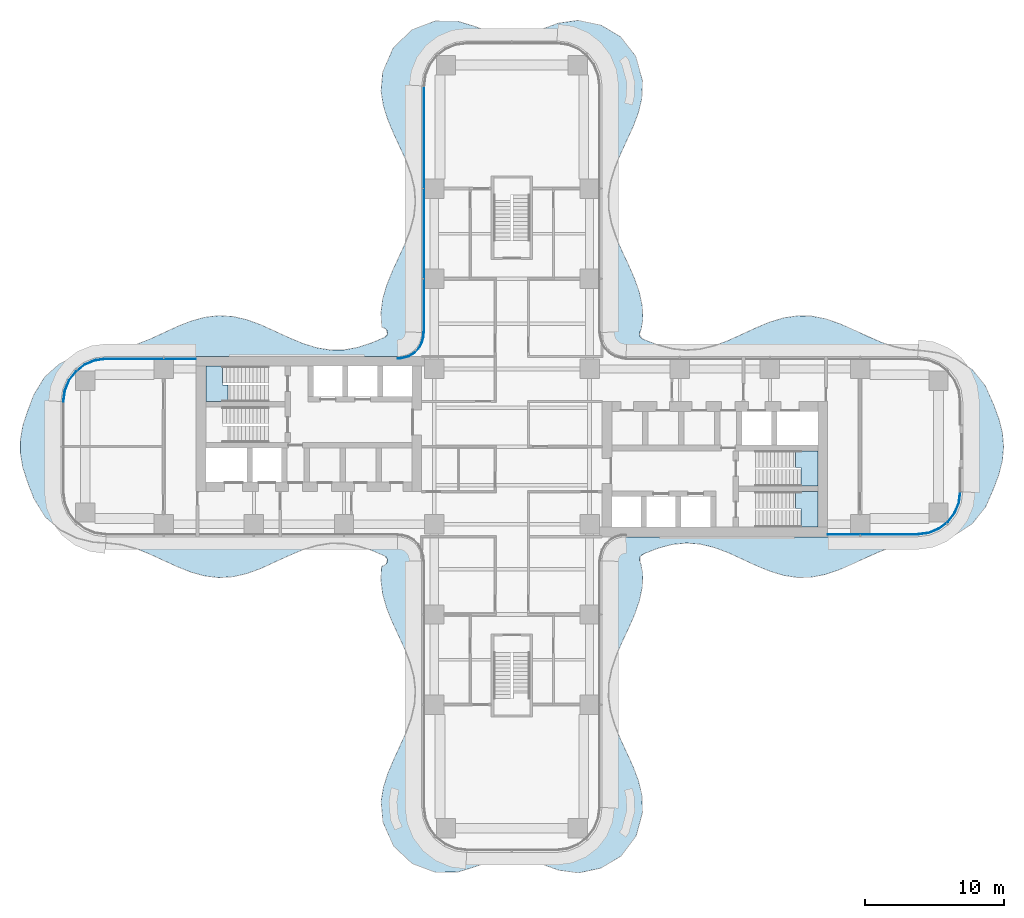
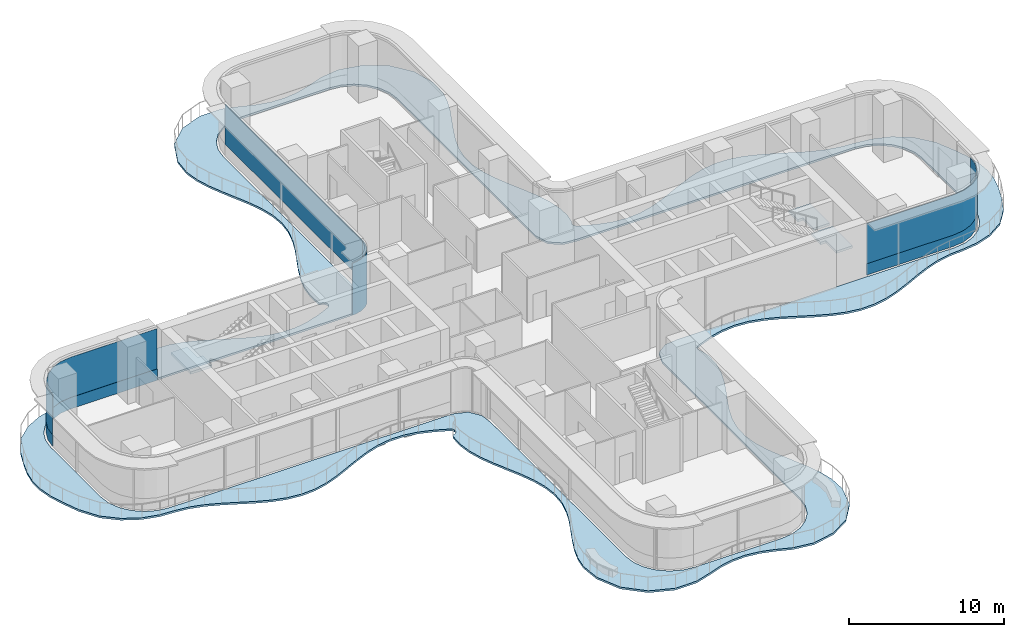
# One storey, part 15 of 22: 6 plates, 4 slabs, 7 elements without a shape of their own.
"""IFC4 building model written with IfcOpenShell, lengths in metres."""

from ifc_helpers import new_model, si_unit, direction, frame, origin, place, context, subcontext, project, spatial, polyline, outline, extrude, source, transform, mapped, material, layer, layer_set, type_object, element, aggregate, save


model = new_model("IFC4")

# Units and contexts
model_context = context("Model", 3, precision=1e-05, world=origin(), true_north=direction((0.0, 1.0)))
body_context = subcontext(model_context, "Body", "Model", "MODEL_VIEW")
ifc_project = project(units=[si_unit("LENGTHUNIT", "METRE"), si_unit("AREAUNIT", "SQUARE_METRE"), si_unit("VOLUMEUNIT", "CUBIC_METRE"), si_unit("PLANEANGLEUNIT", "RADIAN"), si_unit("MASSUNIT", "GRAM", prefix="KILO")], contexts=[model_context])

# Site, building, storey
site_placement = place(None, origin())
site = spatial("IfcSite", under=ifc_project, at=site_placement, CompositionType="ELEMENT")
building_placement = place(site_placement, origin())
building = spatial("IfcBuilding", under=site, at=building_placement, Name="Trellis Farm Tower", CompositionType="ELEMENT")
storey_placement = place(building_placement, frame((0.0, 0.0, 43.0)))
storey = spatial("IfcBuildingStorey", under=building, at=storey_placement, Name="L08", CompositionType="ELEMENT", Elevation=43.0)

# Slab
ifc_material_1 = material(Name="Concrete C40/50", Category="concrete")
ifc_layer_1 = layer(ifc_material_1, 0.14990234375)
ifc_layer_set_1 = layer_set([ifc_layer_1], Name="Balcony slab 150")
slab_type_1 = type_object("IfcSlabType", Name="Balcony slab 150", PredefinedType="FLOOR", material=ifc_layer_set_1)
slab_1_placement = place(storey_placement, frame((0.0, 0.0, -0.14990234375)))
element("IfcSlab", 1, at=slab_1_placement, inside=storey, type_object=slab_type_1, Name="Balcony slab", PredefinedType="FLOOR", context=body_context, shape_type="SweptSolid", body=[
    extrude(outline(polyline([(-9.37060546875, -8.62841796875), (-9.29931640625, -8.576416015625), (-9.1962890625, -8.541015625), (-9.18017578125, -8.533203125), (-9.062744140625, -8.45751953125), (-9.03857421875, -8.431884765625), (-8.97412109375, -8.318603515625), (-8.96435546875, -8.28466796875), (-8.959716796875, -8.154296875), (-8.966796875, -8.11962890625), (-9.02294921875, -8.001953125), (-9.04541015625, -7.974609375), (-9.156982421875, -7.890625), (-9.17236328125, -7.881591796875), (-10.093505859375, -7.48779296875), (-10.099609375, -7.4853515625), (-11.08203125, -7.163330078125), (-11.092041015625, -7.160888671875), (-12.073486328125, -6.98193359375), (-12.086181640625, -6.980712890625), (-13.072021484375, -6.969482421875), (-13.084716796875, -6.970458984375), (-14.078125, -7.131103515625), (-14.08837890625, -7.1337890625), (-15.088134765625, -7.447021484375), (-15.094970703125, -7.449462890625), (-16.111328125, -7.87744140625), (-16.113525390625, -7.87841796875), (-18.09375, -8.78564453125), (-18.104736328125, -8.7900390625), (-19.085205078125, -9.148193359375), (-19.10302734375, -9.153564453125), (-20.077392578125, -9.379150390625), (-20.101806640625, -9.3828125), (-21.1044921875, -9.445556640625), (-21.131103515625, -9.44482421875), (-22.103515625, -9.333251953125), (-22.1259765625, -9.328857421875), (-23.102294921875, -9.061279296875), (-23.11767578125, -9.056396484375), (-24.10107421875, -8.668212890625), (-24.108642578125, -8.664794921875), (-26.088623046875, -7.751953125), (-26.09228515625, -7.750244140625), (-27.112548828125, -7.345947265625), (-27.120361328125, -7.343505859375), (-28.118896484375, -7.070068359375), (-28.1298828125, -7.06787109375), (-29.11865234375, -6.9521484375), (-29.12255859375, -6.951904296875), (-30.190673828125, -6.8837890625), (-30.21728515625, -6.879638671875), (-31.365234375, -6.593505859375), (-31.396484375, -6.58203125), (-32.562255859375, -5.99560546875), (-32.59326171875, -5.974853515625), (-33.62255859375, -5.0810546875), (-33.65185546875, -5.046630859375), (-34.4462890625, -3.760498046875), (-34.45849609375, -3.7353515625), (-34.93017578125, -2.50634765625), (-34.93310546875, -2.498291015625), (-35.253662109375, -1.496826171875), (-35.2587890625, -1.476318359375), (-35.425537109375, -0.497314453125), (-35.427734375, -0.4716796875), (-35.42529296875, 0.501708984375), (-35.423095703125, 0.527099609375), (-35.2529296875, 1.500244140625), (-35.247802734375, 1.5205078125), (-34.93310546875, 2.49853515625), (-34.93017578125, 2.50634765625), (-34.45849609375, 3.735595703125), (-34.446533203125, 3.760009765625), (-33.685546875, 5.006591796875), (-33.656982421875, 5.040771484375), (-32.629150390625, 5.9501953125), (-32.59814453125, 5.971435546875), (-31.4326171875, 6.568115234375), (-31.401611328125, 6.580078125), (-30.249267578125, 6.87451171875), (-30.221923828125, 6.87890625), (-29.12255859375, 6.951904296875), (-29.11865234375, 6.9521484375), (-28.1298828125, 7.06787109375), (-28.118896484375, 7.070068359375), (-27.120361328125, 7.343505859375), (-27.112548828125, 7.345947265625), (-26.09228515625, 7.750244140625), (-26.088623046875, 7.751953125), (-24.10888671875, 8.664794921875), (-24.100830078125, 8.668212890625), (-23.099609375, 9.062255859375), (-23.083984375, 9.0673828125), (-22.1259765625, 9.328857421875), (-22.103515625, 9.333251953125), (-21.131103515625, 9.44482421875), (-21.1044921875, 9.445556640625), (-20.101806640625, 9.3828125), (-20.077392578125, 9.379150390625), (-19.102783203125, 9.153564453125), (-19.08544921875, 9.148193359375), (-18.116455078125, 8.794921875), (-18.105224609375, 8.790283203125), (-16.113525390625, 7.87841796875), (-16.111328125, 7.87744140625), (-15.094970703125, 7.449462890625), (-15.088134765625, 7.447021484375), (-14.08837890625, 7.1337890625), (-14.078125, 7.131103515625), (-13.084716796875, 6.970458984375), (-13.072021484375, 6.969482421875), (-12.0859375, 6.980712890625), (-12.07373046875, 6.981689453125), (-11.138916015625, 7.149169921875), (-11.12890625, 7.151611328125), (-10.099609375, 7.4853515625), (-10.093505859375, 7.48779296875), (-9.17236328125, 7.881591796875), (-9.156982421875, 7.890625), (-9.04541015625, 7.974609375), (-9.02294921875, 8.001953125), (-8.966796875, 8.11962890625), (-8.959716796875, 8.154296875), (-8.96435546875, 8.28466796875), (-8.97412109375, 8.318603515625), (-9.03857421875, 8.431884765625), (-9.062744140625, 8.45751953125), (-9.18017578125, 8.533203125), (-9.1962890625, 8.541015625), (-9.29931640625, 8.576416015625), (-9.37060546875, 8.62841796875), (-9.400390625, 8.711181640625), (-9.443359375, 9.61083984375), (-9.4423828125, 9.636962890625), (-9.318603515625, 10.609619140625), (-9.314208984375, 10.631591796875), (-9.036865234375, 11.6083984375), (-9.03173828125, 11.623291015625), (-8.63671875, 12.607177734375), (-8.6337890625, 12.614013671875), (-7.720947265625, 14.593994140625), (-7.71923828125, 14.597900390625), (-7.333740234375, 15.582275390625), (-7.3310546875, 15.59033203125), (-7.056396484375, 16.625), (-7.05419921875, 16.63671875), (-6.953857421875, 17.627197265625), (-6.95361328125, 17.64013671875), (-7.0263671875, 18.623779296875), (-7.0283203125, 18.635498046875), (-7.26220703125, 19.616943359375), (-7.264892578125, 19.62548828125), (-7.62841796875, 20.609130859375), (-7.63037109375, 20.6142578125), (-8.53857421875, 22.59375), (-8.54052734375, 22.598388671875), (-8.95458984375, 23.584228515625), (-8.959228515625, 23.597412109375), (-9.265380859375, 24.5751953125), (-9.2705078125, 24.5966796875), (-9.428955078125, 25.600341796875), (-9.43017578125, 25.63671875), (-9.314208984375, 26.97900390625), (-9.302490234375, 27.02587890625), (-8.552001953125, 28.746337890625), (-8.536865234375, 28.773193359375), (-8.5146484375, 28.8046875), (-8.494873046875, 28.827392578125), (-7.208740234375, 30.031982421875), (-7.185302734375, 30.050048828125), (-7.15283203125, 30.0703125), (-7.126220703125, 30.083251953125), (-5.56640625, 30.66650390625), (-5.540283203125, 30.673583984375), (-5.50634765625, 30.6796875), (-5.478759765625, 30.68212890625), (-3.93701171875, 30.671875), (-3.89404296875, 30.665283203125), (-2.75439453125, 30.3173828125), (-2.748779296875, 30.3154296875), (-1.731201171875, 29.9599609375), (-1.721923828125, 29.957275390625), (-0.78369140625, 29.757080078125), (-0.77197265625, 29.755615234375), (0.21240234375, 29.707275390625), (0.225830078125, 29.707763671875), (1.268798828125, 29.84326171875), (1.27978515625, 29.845458984375), (2.258056640625, 30.12841796875), (2.26318359375, 30.1298828125), (3.334228515625, 30.523193359375), (3.364990234375, 30.53076171875), (4.744140625, 30.726318359375), (4.7705078125, 30.7275390625), (4.8046875, 30.726318359375), (4.83056640625, 30.72314453125), (6.39794921875, 30.38916015625), (6.443603515625, 30.371337890625), (7.833740234375, 29.540283203125), (7.85693359375, 29.523193359375), (7.8837890625, 29.498779296875), (7.903076171875, 29.478271484375), (8.921630859375, 28.138427734375), (8.93701171875, 28.114013671875), (8.953369140625, 28.080322265625), (8.963623046875, 28.053466796875), (9.412841796875, 26.398681640625), (9.41796875, 26.353759765625), (9.37060546875, 25.095703125), (9.366455078125, 25.066162109375), (9.131591796875, 24.096923828125), (9.126220703125, 24.079833984375), (8.7646484375, 23.109619140625), (8.760498046875, 23.099365234375), (7.846435546875, 21.108154296875), (7.84521484375, 21.105712890625), (7.43408203125, 20.119873046875), (7.431640625, 20.11328125), (7.1279296875, 19.131103515625), (7.12548828125, 19.12060546875), (6.969482421875, 18.138916015625), (6.968505859375, 18.126220703125), (6.98193359375, 17.139404296875), (6.9833984375, 17.126708984375), (7.167724609375, 16.13232421875), (7.17041015625, 16.122314453125), (7.50244140625, 15.121826171875), (7.504638671875, 15.11572265625), (7.93798828125, 14.111328125), (7.93896484375, 14.109130859375), (8.407958984375, 13.10986328125), (8.409423828125, 13.1064453125), (8.843994140625, 12.118896484375), (8.848388671875, 12.107666015625), (9.1962890625, 11.105712890625), (9.201416015625, 11.0869140625), (9.3994140625, 10.134765625), (9.40234375, 10.1103515625), (9.44140625, 9.1455078125), (9.43896484375, 9.1123046875), (9.31689453125, 8.447021484375), (9.30029296875, 8.400634765625), (9.236083984375, 8.285888671875), (9.2294921875, 8.27001953125), (9.188720703125, 8.128173828125), (9.188720703125, 8.08740234375), (9.231689453125, 7.93798828125), (9.254150390625, 7.90283203125), (9.379150390625, 7.794189453125), (9.3974609375, 7.782470703125), (9.619140625, 7.681884765625), (9.623291015625, 7.680419921875), (10.587646484375, 7.31005859375), (10.595703125, 7.3076171875), (11.5771484375, 7.052734375), (11.588623046875, 7.05078125), (12.57177734375, 6.95361328125), (12.584716796875, 6.95361328125), (13.57421875, 7.029296875), (13.586181640625, 7.031005859375), (14.62255859375, 7.284423828125), (14.631103515625, 7.287109375), (15.61474609375, 7.658203125), (15.61962890625, 7.66015625), (17.59912109375, 8.570556640625), (17.6044921875, 8.572998046875), (18.58984375, 8.980712890625), (18.603515625, 8.985595703125), (19.5810546875, 9.28271484375), (19.6025390625, 9.287353515625), (20.605224609375, 9.436279296875), (20.63134765625, 9.43798828125), (21.604248046875, 9.410888671875), (21.62890625, 9.408203125), (22.580322265625, 9.221435546875), (22.599609375, 9.21630859375), (23.6015625, 8.876953125), (23.61328125, 8.872314453125), (24.595947265625, 8.444580078125), (24.599609375, 8.44287109375), (25.59423828125, 7.97607421875), (25.59619140625, 7.975341796875), (26.5830078125, 7.54345703125), (26.58837890625, 7.541259765625), (27.5712890625, 7.201904296875), (27.580810546875, 7.19921875), (28.571533203125, 6.99609375), (28.58056640625, 6.99462890625), (29.654296875, 6.90966796875), (29.662841796875, 6.90869140625), (30.7509765625, 6.759521484375), (30.7783203125, 6.753173828125), (31.9677734375, 6.35400390625), (32.001953125, 6.33740234375), (33.152587890625, 5.585205078125), (33.1875, 5.5537109375), (34.109619140625, 4.406982421875), (34.1298828125, 4.373779296875), (34.726318359375, 3.02978515625), (34.729736328125, 3.021240234375), (35.10400390625, 2.01513671875), (35.10888671875, 1.99951171875), (35.355712890625, 1.0244140625), (35.359619140625, 1.000732421875), (35.447509765625, -0.001953125), (35.447509765625, -0.028564453125), (35.359619140625, -1.0009765625), (35.355712890625, -1.024169921875), (35.10888671875, -1.99951171875), (35.10400390625, -2.01513671875), (34.729736328125, -3.021484375), (34.7265625, -3.029541015625), (34.15380859375, -4.33447265625), (34.133544921875, -4.367919921875), (33.187744140625, -5.552978515625), (33.152099609375, -5.585205078125), (31.962890625, -6.356201171875), (31.92822265625, -6.372802734375), (30.778076171875, -6.75341796875), (30.751220703125, -6.759521484375), (29.662841796875, -6.90869140625), (29.654296875, -6.90966796875), (28.58056640625, -6.99462890625), (28.571533203125, -6.99609375), (27.580810546875, -7.19921875), (27.5712890625, -7.201904296875), (26.58837890625, -7.541259765625), (26.5830078125, -7.54345703125), (25.59619140625, -7.975341796875), (25.59423828125, -7.97607421875), (24.599853515625, -8.44287109375), (24.595703125, -8.444580078125), (23.599609375, -8.877685546875), (23.587890625, -8.882080078125), (22.599609375, -9.21630859375), (22.580078125, -9.221435546875), (21.60009765625, -9.411376953125), (21.574951171875, -9.4140625), (20.60107421875, -9.43603515625), (20.5751953125, -9.4345703125), (19.602294921875, -9.287353515625), (19.5810546875, -9.28271484375), (18.603515625, -8.985595703125), (18.58984375, -8.980712890625), (17.6044921875, -8.572998046875), (17.59912109375, -8.570556640625), (15.61962890625, -7.66015625), (15.61474609375, -7.658203125), (14.631103515625, -7.287109375), (14.62255859375, -7.284423828125), (13.586181640625, -7.031005859375), (13.57421875, -7.029296875), (12.584716796875, -6.95361328125), (12.57177734375, -6.95361328125), (11.588623046875, -7.05078125), (11.5771484375, -7.052734375), (10.595703125, -7.3076171875), (10.587646484375, -7.31005859375), (9.603515625, -7.688720703125), (9.59912109375, -7.6904296875), (9.397216796875, -7.782470703125), (9.37939453125, -7.794189453125), (9.254150390625, -7.90283203125), (9.231689453125, -7.93798828125), (9.188720703125, -8.08740234375), (9.188720703125, -8.128173828125), (9.2294921875, -8.27001953125), (9.236083984375, -8.285888671875), (9.30029296875, -8.400634765625), (9.31689453125, -8.447021484375), (9.43896484375, -9.1123046875), (9.44140625, -9.1455078125), (9.40234375, -10.1103515625), (9.3994140625, -10.134765625), (9.201416015625, -11.0869140625), (9.1962890625, -11.105712890625), (8.848388671875, -12.107666015625), (8.843994140625, -12.118896484375), (8.409423828125, -13.1064453125), (8.407958984375, -13.10986328125), (7.93896484375, -14.109375), (7.93798828125, -14.111328125), (7.515380859375, -15.088134765625), (7.51318359375, -15.093994140625), (7.18212890625, -16.076904296875), (7.1796875, -16.08642578125), (6.989501953125, -17.06787109375), (6.988037109375, -17.080322265625), (6.964599609375, -18.065673828125), (6.96533203125, -18.07861328125), (7.1142578125, -19.0712890625), (7.11669921875, -19.08203125), (7.42041015625, -20.081298828125), (7.4228515625, -20.08837890625), (7.84521484375, -21.105712890625), (7.846435546875, -21.108154296875), (8.755859375, -23.08837890625), (8.76025390625, -23.0986328125), (9.13232421875, -24.099609375), (9.1376953125, -24.1171875), (9.37109375, -25.099853515625), (9.375244140625, -25.12939453125), (9.418212890625, -26.35400390625), (9.412841796875, -26.398681640625), (8.963623046875, -28.053466796875), (8.953369140625, -28.080322265625), (8.93701171875, -28.114013671875), (8.921630859375, -28.138427734375), (7.903076171875, -29.478271484375), (7.8837890625, -29.498779296875), (7.85693359375, -29.523193359375), (7.833740234375, -29.540283203125), (6.443603515625, -30.371337890625), (6.39794921875, -30.38916015625), (4.83056640625, -30.72314453125), (4.8046875, -30.726318359375), (4.7705078125, -30.7275390625), (4.744140625, -30.726318359375), (3.364990234375, -30.53076171875), (3.334228515625, -30.523193359375), (2.26318359375, -30.1298828125), (2.258056640625, -30.12841796875), (1.27978515625, -29.845458984375), (1.268798828125, -29.84326171875), (0.225830078125, -29.707763671875), (0.21240234375, -29.707275390625), (-0.77197265625, -29.755615234375), (-0.78369140625, -29.757080078125), (-1.721923828125, -29.957275390625), (-1.731201171875, -29.9599609375), (-2.748779296875, -30.3154296875), (-2.75439453125, -30.3173828125), (-3.89404296875, -30.665283203125), (-3.93701171875, -30.671875), (-5.478759765625, -30.68212890625), (-5.50634765625, -30.6796875), (-5.540283203125, -30.673583984375), (-5.56640625, -30.66650390625), (-7.126220703125, -30.083251953125), (-7.15283203125, -30.0703125), (-7.185302734375, -30.050048828125), (-7.208740234375, -30.031982421875), (-8.494873046875, -28.827392578125), (-8.5146484375, -28.8046875), (-8.537109375, -28.77294921875), (-8.552001953125, -28.746826171875), (-9.2880859375, -27.081298828125), (-9.30029296875, -27.033935546875), (-9.4287109375, -25.594482421875), (-9.42724609375, -25.556884765625), (-9.2705078125, -24.59619140625), (-9.265625, -24.57568359375), (-8.965087890625, -23.613037109375), (-8.960205078125, -23.599853515625), (-8.54052734375, -22.598388671875), (-8.53857421875, -22.59375), (-7.63037109375, -20.6142578125), (-7.62841796875, -20.609130859375), (-7.264892578125, -19.625732421875), (-7.26220703125, -19.616943359375), (-7.019775390625, -18.579833984375), (-7.01806640625, -18.5673828125), (-6.95458984375, -17.578857421875), (-6.955078125, -17.565673828125), (-7.06396484375, -16.5830078125), (-7.066162109375, -16.57177734375), (-7.3310546875, -15.590087890625), (-7.333740234375, -15.58251953125), (-7.71923828125, -14.597900390625), (-7.720947265625, -14.593994140625), (-8.6337890625, -12.614013671875), (-8.63671875, -12.607177734375), (-9.03173828125, -11.623291015625), (-9.036865234375, -11.6083984375), (-9.314208984375, -10.631591796875), (-9.318603515625, -10.609619140625), (-9.4423828125, -9.636962890625), (-9.443359375, -9.61083984375), (-9.400390625, -8.711181640625), (-9.37060546875, -8.62841796875)]), holes=[polyline([(-7.2119140625, -6.8232421875), (-7.16650390625, -6.856689453125), (-7.134033203125, -6.8896484375), (-6.644287109375, -7.569091796875), (-6.6259765625, -7.603271484375), (-6.6083984375, -7.64892578125), (-6.599365234375, -7.686767578125), (-6.500732421875, -8.61083984375), (-6.50048828125, -8.615478515625), (-6.50048828125, -26.0), (-6.389892578125, -26.84130859375), (-6.065185546875, -27.625244140625), (-5.548583984375, -28.298583984375), (-4.875244140625, -28.815185546875), (-4.09130859375, -29.139892578125), (-3.25, -29.25048828125), (3.25, -29.25048828125), (4.09130859375, -29.139892578125), (4.875244140625, -28.815185546875), (5.548583984375, -28.298583984375), (6.065185546875, -27.625244140625), (6.389892578125, -26.84130859375), (6.50048828125, -26.0), (6.50048828125, -23.778076171875), (6.5078125, -8.16259765625), (6.515380859375, -8.115478515625), (6.802490234375, -7.251953125), (6.824462890625, -7.209716796875), (6.858154296875, -7.16455078125), (6.89111328125, -7.132080078125), (7.571533203125, -6.6435546875), (7.60546875, -6.625244140625), (7.651123046875, -6.60791015625), (7.688720703125, -6.598876953125), (8.61328125, -6.500732421875), (8.617919921875, -6.50048828125), (29.25, -6.50048828125), (30.09130859375, -6.389892578125), (30.875244140625, -6.065185546875), (31.548583984375, -5.548583984375), (32.065185546875, -4.875244140625), (32.389892578125, -4.09130859375), (32.50048828125, -3.25), (32.50048828125, 3.25), (32.389892578125, 4.09130859375), (32.065185546875, 4.875244140625), (31.548583984375, 5.548583984375), (30.875244140625, 6.065185546875), (30.09130859375, 6.389892578125), (29.25, 6.50048828125), (8.617919921875, 6.50048828125), (8.61328125, 6.500732421875), (7.688720703125, 6.598876953125), (7.651123046875, 6.60791015625), (7.60546875, 6.625244140625), (7.571533203125, 6.6435546875), (6.89111328125, 7.132080078125), (6.858154296875, 7.16455078125), (6.824462890625, 7.209716796875), (6.802490234375, 7.251953125), (6.515380859375, 8.115478515625), (6.5078125, 8.16259765625), (6.50048828125, 23.7255859375), (6.50048828125, 26.0), (6.389892578125, 26.84130859375), (6.065185546875, 27.625244140625), (5.548583984375, 28.298583984375), (4.875244140625, 28.815185546875), (4.09130859375, 29.139892578125), (3.25, 29.25048828125), (-3.25, 29.25048828125), (-4.09130859375, 29.139892578125), (-4.875244140625, 28.815185546875), (-5.548583984375, 28.298583984375), (-6.065185546875, 27.625244140625), (-6.389892578125, 26.84130859375), (-6.50048828125, 26.0), (-6.50048828125, 8.615478515625), (-6.500732421875, 8.61083984375), (-6.599365234375, 7.686767578125), (-6.6083984375, 7.64892578125), (-6.6259765625, 7.603271484375), (-6.644287109375, 7.569091796875), (-7.134033203125, 6.8896484375), (-7.16650390625, 6.856689453125), (-7.2119140625, 6.8232421875), (-7.25390625, 6.801513671875), (-8.11767578125, 6.51513671875), (-8.164794921875, 6.507568359375), (-27.41845703125, 6.50048828125), (-29.25, 6.50048828125), (-30.09130859375, 6.389892578125), (-30.875244140625, 6.065185546875), (-31.548583984375, 5.548583984375), (-32.065185546875, 4.875244140625), (-32.389892578125, 4.09130859375), (-32.50048828125, 3.25), (-32.50048828125, -3.25), (-32.389892578125, -4.09130859375), (-32.065185546875, -4.875244140625), (-31.548583984375, -5.548583984375), (-30.875244140625, -6.065185546875), (-30.09130859375, -6.389892578125), (-29.25, -6.50048828125), (-27.418701171875, -6.50048828125), (-8.164794921875, -6.507568359375), (-8.11767578125, -6.51513671875), (-7.25390625, -6.801513671875), (-7.2119140625, -6.8232421875)])]), origin(), (0.0, 0.0, 1.0), 0.14990234375),
])

# Stair, slab
ifc_material_2 = material(Name="Concrete C50/60", Category="concrete")
stair_type = type_object("IfcStairType", Name="CORE EXIT STAIR 26 RISERS 173 MM", PredefinedType="HALF_TURN_STAIR", material=ifc_material_2)
placement_1 = place(storey_placement, origin())
stair_1 = element("IfcStair", 2, at=placement_1, inside=storey, type_object=stair_type, Name="Exit stair E1", PredefinedType="HALF_TURN_STAIR")
ifc_layer_2 = layer(ifc_material_2, 0.18994140625)
ifc_layer_set_2 = layer_set([ifc_layer_2], Name="CORE STAIR LANDING 190 CONCRETE C50/60")
slab_type_2 = type_object("IfcSlabType", Name="CORE STAIR LANDING 190 CONCRETE C50/60", PredefinedType="LANDING", material=ifc_layer_set_2)
shared_shape_1 = source(origin(), body_context, "Body", "SweptSolid", [
    extrude(outline(polyline([(20.840087890625, -5.800048828125), (20.840087890625, -4.60009765625), (20.85009765625, -4.60009765625), (20.85009765625, -4.449951171875), (20.453125, -4.449951171875), (20.453125, -3.25), (20.85009765625, -3.25), (22.050048828125, -3.25), (22.050048828125, -5.800048828125), (20.85009765625, -5.800048828125), (20.840087890625, -5.800048828125)])), origin(), (0.0, 0.0, 1.0), 0.18994140625),
])
placement_2 = place(storey_placement, frame((0.0, 0.0, 2.06005859375)))
slab_2 = element("IfcSlab", 3, at=placement_2, type_object=slab_type_2, Name="STE1 landing 1", PredefinedType="LANDING", context=body_context, shape_type="MappedRepresentation", body=[
    mapped(shared_shape_1, transform((0.0, 0.0, 0.0))),
])
aggregate(stair_1, [slab_2])

stair_2 = element("IfcStair", 4, at=placement_1, inside=storey, type_object=stair_type, Name="Exit stair E2", PredefinedType="HALF_TURN_STAIR")
shared_shape_2 = source(origin(), body_context, "Body", "SweptSolid", [
    extrude(outline(polyline([(20.840087890625, -2.85009765625), (20.840087890625, -1.64990234375), (20.85009765625, -1.64990234375), (20.85009765625, -1.5), (20.453125, -1.5), (20.453125, -0.300048828125), (20.85009765625, -0.300048828125), (22.050048828125, -0.300048828125), (22.050048828125, -2.85009765625), (20.85009765625, -2.85009765625), (20.840087890625, -2.85009765625)])), origin(), (0.0, 0.0, 1.0), 0.18994140625),
])
slab_3 = element("IfcSlab", 5, at=placement_2, type_object=slab_type_2, Name="STE2 landing 1", PredefinedType="LANDING", context=body_context, shape_type="MappedRepresentation", body=[
    mapped(shared_shape_2, transform((0.0, 0.0, 0.0))),
])
aggregate(stair_2, [slab_3])

stair_3 = element("IfcStair", 6, at=placement_1, inside=storey, type_object=stair_type, Name="Exit stair W1", PredefinedType="HALF_TURN_STAIR")
shared_shape_3 = source(origin(), body_context, "Body", "SweptSolid", [
    extrude(outline(polyline([(-20.453125, 4.449951171875), (-20.453125, 3.25), (-20.85009765625, 3.25), (-22.050048828125, 3.25), (-22.050048828125, 5.800048828125), (-20.85009765625, 5.800048828125), (-20.840087890625, 5.800048828125), (-20.840087890625, 4.60009765625), (-20.85009765625, 4.60009765625), (-20.85009765625, 4.449951171875), (-20.453125, 4.449951171875)])), origin(), (0.0, 0.0, 1.0), 0.18994140625),
])
slab_4 = element("IfcSlab", 7, at=placement_2, type_object=slab_type_2, Name="STW1 landing 1", PredefinedType="LANDING", context=body_context, shape_type="MappedRepresentation", body=[
    mapped(shared_shape_3, transform((0.0, 0.0, 0.0))),
])
aggregate(stair_3, [slab_4])

# Curtain wall, plates
ifc_material_3 = material(Name="Aluminium and glass curtain wall", Category="aluminium")
ifc_layer_3 = layer(ifc_material_3, 0.18994140625)
ifc_layer_set_3 = layer_set([ifc_layer_3], Name="RIBBON CURTAIN WALL CW1")
curtain_wall_type_1 = type_object("IfcCurtainWallType", Name="RIBBON CURTAIN WALL CW1", PredefinedType="NOTDEFINED", material=ifc_layer_set_3)
curtain_wall_1 = element("IfcCurtainWall", 8, at=placement_1, inside=storey, type_object=curtain_wall_type_1, Name="CW1 005", PredefinedType="NOTDEFINED")
ifc_material_4 = material(Name="Clear insulated glass", Category="glass")
ifc_layer_4 = layer(ifc_material_4, 0.0400390625)
ifc_layer_set_4 = layer_set([ifc_layer_4], Name="CW1 GLASS PANEL 40")
plate_type_1 = type_object("IfcPlateType", Name="CW1 GLASS PANEL 40", PredefinedType="CURTAIN_PANEL", material=ifc_layer_set_4)
shared_shape_4 = source(origin(), body_context, "Body", "SweptSolid", [
    extrude(outline(polyline([(22.780029296875, -6.35009765625), (29.240234375, -6.35009765625), (30.052001953125, -6.2431640625), (30.79931640625, -5.93359375), (31.441162109375, -5.441162109375), (31.93359375, -4.79931640625), (32.2431640625, -4.052001953125), (32.35009765625, -3.240234375), (32.31005859375, -3.237548828125), (32.2041015625, -4.04150390625), (31.898681640625, -4.779296875), (31.41259765625, -5.41259765625), (30.779296875, -5.898681640625), (30.04150390625, -6.2041015625), (29.237548828125, -6.31005859375), (22.780029296875, -6.31005859375), (22.780029296875, -6.35009765625)])), origin(), (0.0, 0.0, 1.0), 3.170166015625),
])
placement_3 = place(storey_placement, frame((0.0, 0.0, 0.89990234375)))
plate_1 = element("IfcPlate", 9, at=placement_3, type_object=plate_type_1, Name="PL1 005", PredefinedType="CURTAIN_PANEL", context=body_context, shape_type="MappedRepresentation", body=[
    mapped(shared_shape_4, transform((0.0, 0.0, 0.0))),
])
ifc_material_5 = material(Name="Sandstone faced insulated panel", Category="masonry")
ifc_layer_5 = layer(ifc_material_5, 0.050048828125)
ifc_layer_set_5 = layer_set([ifc_layer_5], Name="CW1 STONE SPANDREL PANEL 50")
plate_type_2 = type_object("IfcPlateType", Name="CW1 STONE SPANDREL PANEL 50", PredefinedType="CURTAIN_PANEL", material=ifc_layer_set_5)
shared_shape_5 = source(origin(), body_context, "Body", "SweptSolid", [
    extrude(outline(polyline([(22.780029296875, -6.35009765625), (29.240234375, -6.35009765625), (30.052001953125, -6.2431640625), (30.79931640625, -5.93359375), (31.441162109375, -5.441162109375), (31.93359375, -4.79931640625), (32.2431640625, -4.052001953125), (32.35009765625, -3.240234375), (32.300048828125, -3.23681640625), (32.1943359375, -4.0390625), (31.889892578125, -4.774169921875), (31.405517578125, -5.405517578125), (30.774169921875, -5.889892578125), (30.0390625, -6.1943359375), (29.23681640625, -6.300048828125), (22.780029296875, -6.300048828125), (22.780029296875, -6.35009765625)])), origin(), (0.0, 0.0, 1.0), 0.89990234375),
])
plate_2 = element("IfcPlate", 10, at=placement_1, type_object=plate_type_2, Name="PS1 005", PredefinedType="CURTAIN_PANEL", context=body_context, shape_type="MappedRepresentation", body=[
    mapped(shared_shape_5, transform((0.0, 0.0, 0.0))),
])
aggregate(curtain_wall_1, [plate_1, plate_2])

# Curtain wall, plate
curtain_wall_2 = element("IfcCurtainWall", 11, at=placement_1, inside=storey, type_object=curtain_wall_type_1, Name="CW1 011", PredefinedType="NOTDEFINED")
shared_shape_6 = source(origin(), body_context, "Body", "SweptSolid", [
    extrude(outline(polyline([(-6.35009765625, 25.990234375), (-6.35009765625, 8.2265625), (-6.31005859375, 8.22509765625), (-6.31005859375, 25.987548828125), (-6.35009765625, 25.990234375)])), origin(), (0.0, 0.0, 1.0), 3.170166015625),
])
plate_3 = element("IfcPlate", 12, at=placement_3, type_object=plate_type_1, Name="PL1 011", PredefinedType="CURTAIN_PANEL", context=body_context, shape_type="MappedRepresentation", body=[
    mapped(shared_shape_6, transform((0.0, 0.0, 0.0))),
])
aggregate(curtain_wall_2, [plate_3])

ifc_layer_6 = layer(ifc_material_3, 0.166015625)
ifc_layer_set_6 = layer_set([ifc_layer_6], Name="WINTER GARDEN CURTAIN WALL CW3")
curtain_wall_type_2 = type_object("IfcCurtainWallType", Name="WINTER GARDEN CURTAIN WALL CW3", PredefinedType="NOTDEFINED", material=ifc_layer_set_6)
curtain_wall_3 = element("IfcCurtainWall", 13, at=placement_1, inside=storey, type_object=curtain_wall_type_2, Name="CW3 004", PredefinedType="NOTDEFINED")
ifc_layer_7 = layer(ifc_material_4, 0.0458984375)
ifc_layer_set_7 = layer_set([ifc_layer_7], Name="CW3 GLASS PANEL 46")
plate_type_3 = type_object("IfcPlateType", Name="CW3 GLASS PANEL 46", PredefinedType="CURTAIN_PANEL", material=ifc_layer_set_7)
shared_shape_7 = source(origin(), body_context, "Body", "SweptSolid", [
    extrude(outline(polyline([(-6.3798828125, 8.2275390625), (-6.394287109375, 8.0078125), (-6.40966796875, 7.89208984375), (-6.52490234375, 7.462158203125), (-6.7509765625, 7.070556640625), (-7.070556640625, 6.7509765625), (-7.462158203125, 6.52490234375), (-7.89208984375, 6.40966796875), (-8.0078125, 6.394287109375), (-8.2275390625, 6.3798828125), (-8.22607421875, 6.333984375), (-8.003173828125, 6.3486328125), (-7.883056640625, 6.364501953125), (-7.4443359375, 6.48193359375), (-7.04248046875, 6.714111328125), (-6.714111328125, 7.04248046875), (-6.48193359375, 7.4443359375), (-6.364501953125, 7.883056640625), (-6.3486328125, 8.003173828125), (-6.333984375, 8.22607421875), (-6.3798828125, 8.2275390625)])), origin(), (0.0, 0.0, 1.0), 4.10009765625),
])
plate_4 = element("IfcPlate", 14, at=placement_1, type_object=plate_type_3, Name="PL3 004", PredefinedType="CURTAIN_PANEL", context=body_context, shape_type="MappedRepresentation", body=[
    mapped(shared_shape_7, transform((0.0, 0.0, 0.0))),
])
aggregate(curtain_wall_3, [plate_4])

# Curtain wall, plates
curtain_wall_4 = element("IfcCurtainWall", 15, at=placement_1, inside=storey, type_object=curtain_wall_type_1, Name="CW1 012", PredefinedType="NOTDEFINED")
shared_shape_8 = source(origin(), body_context, "Body", "SweptSolid", [
    extrude(outline(polyline([(-22.780029296875, 6.35009765625), (-29.240234375, 6.35009765625), (-30.052001953125, 6.2431640625), (-30.79931640625, 5.93359375), (-31.441162109375, 5.441162109375), (-31.93359375, 4.79931640625), (-32.2431640625, 4.052001953125), (-32.35009765625, 3.240234375), (-32.31005859375, 3.237548828125), (-32.2041015625, 4.04150390625), (-31.898681640625, 4.779296875), (-31.41259765625, 5.41259765625), (-30.779296875, 5.898681640625), (-30.04150390625, 6.2041015625), (-29.237548828125, 6.31005859375), (-22.780029296875, 6.31005859375), (-22.780029296875, 6.35009765625)])), origin(), (0.0, 0.0, 1.0), 3.170166015625),
])
plate_5 = element("IfcPlate", 16, at=placement_3, type_object=plate_type_1, Name="PL1 012", PredefinedType="CURTAIN_PANEL", context=body_context, shape_type="MappedRepresentation", body=[
    mapped(shared_shape_8, transform((0.0, 0.0, 0.0))),
])
shared_shape_9 = source(origin(), body_context, "Body", "SweptSolid", [
    extrude(outline(polyline([(-22.780029296875, 6.35009765625), (-29.240234375, 6.35009765625), (-30.052001953125, 6.2431640625), (-30.79931640625, 5.93359375), (-31.441162109375, 5.441162109375), (-31.93359375, 4.79931640625), (-32.2431640625, 4.052001953125), (-32.35009765625, 3.240234375), (-32.300048828125, 3.23681640625), (-32.1943359375, 4.0390625), (-31.889892578125, 4.774169921875), (-31.405517578125, 5.405517578125), (-30.774169921875, 5.889892578125), (-30.0390625, 6.1943359375), (-29.23681640625, 6.300048828125), (-22.780029296875, 6.300048828125), (-22.780029296875, 6.35009765625)])), origin(), (0.0, 0.0, 1.0), 0.89990234375),
])
plate_6 = element("IfcPlate", 17, at=placement_1, type_object=plate_type_2, Name="PS1 012", PredefinedType="CURTAIN_PANEL", context=body_context, shape_type="MappedRepresentation", body=[
    mapped(shared_shape_9, transform((0.0, 0.0, 0.0))),
])
aggregate(curtain_wall_4, [plate_5, plate_6])

save(model, "model.ifc")
